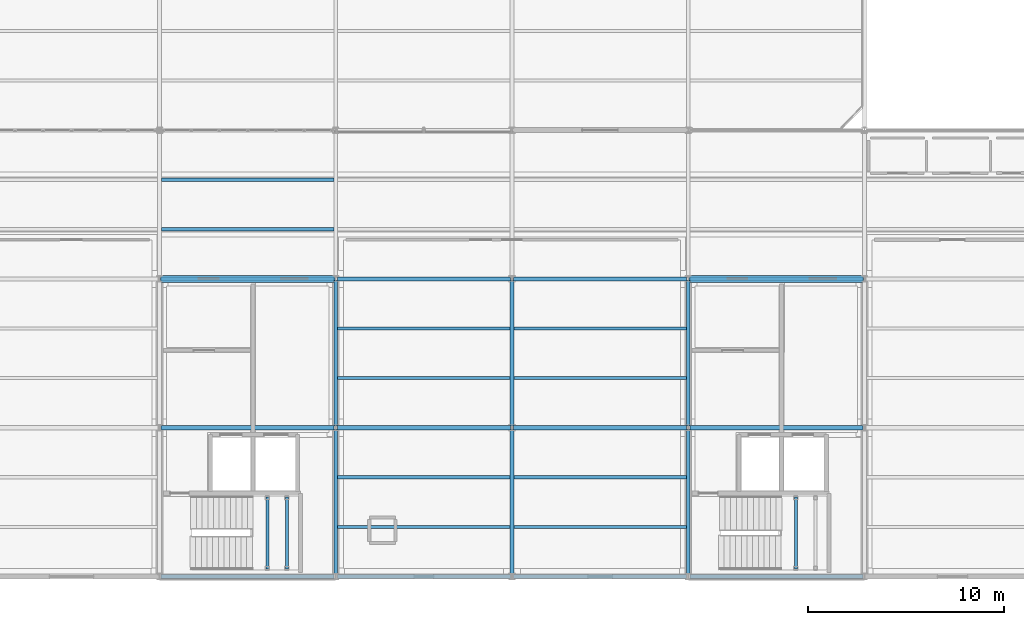
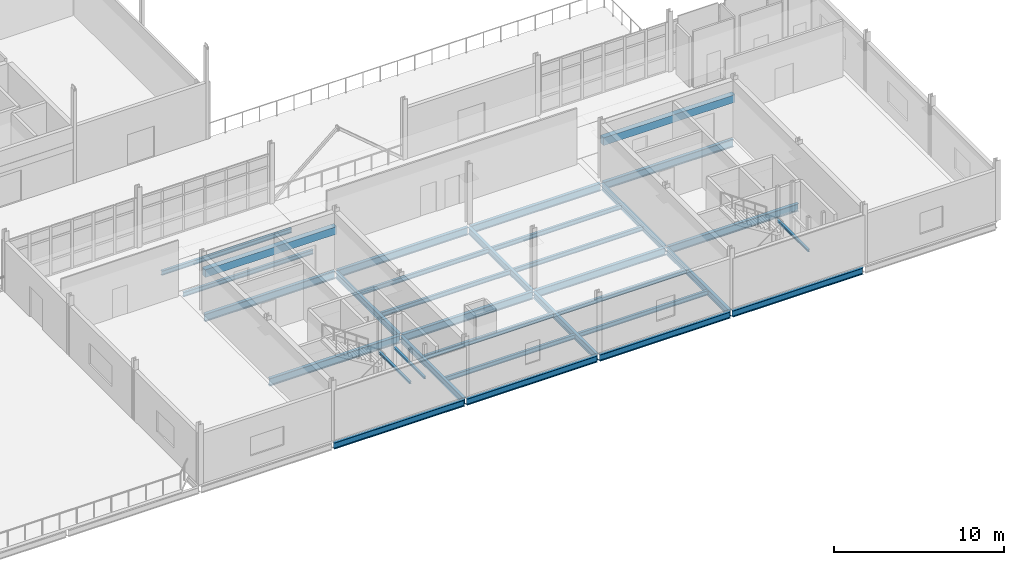
# One storey, part 57 of 166: 33 beams.
"""IFC4 building model written with IfcOpenShell, lengths in metres."""

from ifc_helpers import new_model, si_unit, direction, frame, origin, origin_2d, place, context, subcontext, project, spatial, rectangle, i_section, extrude, material, material_profile, profile_set, type_object, element, save


model = new_model("IFC4")

# Units and contexts
model_context = context("Model", 3, precision=1e-05, world=origin(), true_north=direction((0.0, 1.0)))
body_context = subcontext(model_context, "Body", "Model", "MODEL_VIEW")
ifc_project = project(units=[si_unit("LENGTHUNIT", "METRE"), si_unit("AREAUNIT", "SQUARE_METRE"), si_unit("VOLUMEUNIT", "CUBIC_METRE"), si_unit("PLANEANGLEUNIT", "RADIAN"), si_unit("MASSUNIT", "GRAM", prefix="KILO")], contexts=[model_context])

# Site, building, storey
site_placement = place(None, origin())
site = spatial("IfcSite", under=ifc_project, at=site_placement, CompositionType="ELEMENT")
building_placement = place(site_placement, origin())
building = spatial("IfcBuilding", under=site, at=building_placement, Name="Caisbarro Railhouse Central Library", CompositionType="ELEMENT")
storey_placement = place(building_placement, frame((0.0, 0.0, 9.360107421875)))
storey = spatial("IfcBuildingStorey", under=building, at=storey_placement, Name="L02", CompositionType="ELEMENT", Elevation=9.360107421875)

# Beams
ifc_material_1 = material(Name="Steel ASTM A572 Grade 50", Category="steel")
ifc_material_profile_1 = material_profile(ifc_material_1, i_section(OverallWidth=0.2119140625, OverallDepth=0.5439453125, WebThickness=0.01318359375, FlangeThickness=0.021240234375, FilletRadius=0.02001953125, at=origin_2d()), Name="W530X123.0")
ifc_profile_set_1 = profile_set([ifc_material_profile_1], Name="Steel ASTM A572 Grade 50")
beam_type_1 = type_object("IfcBeamType", Name="BM-G05", PredefinedType="BEAM", material=ifc_profile_set_1)
for number, where, z_axis, x_axis, name in (
    (1, (63.080078125, 7.60009765625, -0.51220703125), (1.0, 0.0, 0.0), (0.0, 1.0, 0.0), "G05 beam L02 #1285"),
    (2, (72.080078125, 7.60009765625, -0.51220703125), (1.0, 0.0, 0.0), (0.0, 1.0, 0.0), "G05 beam L02 #1286"),
    (3, (81.080078125, 7.60009765625, -0.51220703125), (1.0, 0.0, 0.0), (0.0, 1.0, 0.0), "G05 beam L02 #1287"),
    (4, (90.080078125, 7.60009765625, -0.51220703125), (1.0, 0.0, 0.0), (0.0, 1.0, 0.0), "G05 beam L02 #1288"),
    (5, (63.080078125, 15.199951171875, -0.51220703125), (1.0, 0.0, 0.0), (0.0, 1.0, 0.0), "G05 beam L02 #1291"),
    (6, (72.080078125, 15.199951171875, -0.51220703125), (1.0, 0.0, 0.0), (0.0, 1.0, 0.0), "G05 beam L02 #1292"),
    (7, (81.080078125, 15.199951171875, -0.51220703125), (1.0, 0.0, 0.0), (0.0, 1.0, 0.0), "G05 beam L02 #1293"),
    (8, (90.080078125, 15.199951171875, -0.51220703125), (1.0, 0.0, 0.0), (0.0, 1.0, 0.0), "G05 beam L02 #1294"),
):
    element("IfcBeam", number, at=place(storey_placement, frame(where, z_axis=z_axis, x_axis=x_axis)), inside=storey, type_object=beam_type_1, Name=name, PredefinedType="BEAM", context=body_context, shape_type="SweptSolid", body=[
        extrude(i_section(OverallWidth=0.2119140625, OverallDepth=0.5439453125, WebThickness=0.01318359375, FlangeThickness=0.021240234375, FilletRadius=0.02001953125, at=origin_2d()), origin(), (0.0, 0.0, 1.0), 8.83984375),
    ])
ifc_material_profile_2 = material_profile(ifc_material_1, i_section(OverallWidth=0.194091796875, OverallDepth=0.468994140625, WebThickness=0.0126953125, FlangeThickness=0.0205078125, FilletRadius=0.01806640625, at=origin_2d()), Name="W460X106.0")
ifc_profile_set_2 = profile_set([ifc_material_profile_2], Name="Steel ASTM A572 Grade 50")
beam_type_2 = type_object("IfcBeamType", Name="BM-G07", PredefinedType="BEAM", material=ifc_profile_set_2)
beam_1_placement = place(storey_placement, frame((72.0, 0.080078125, -0.474609375), z_axis=(0.0, 1.0, 0.0), x_axis=(-1.0, 0.0, 0.0)))
element("IfcBeam", 9, at=beam_1_placement, inside=storey, type_object=beam_type_2, Name="G07 beam L02 #1308", PredefinedType="BEAM", context=body_context, shape_type="SweptSolid", body=[
    extrude(i_section(OverallWidth=0.194091796875, OverallDepth=0.468994140625, WebThickness=0.0126953125, FlangeThickness=0.0205078125, FilletRadius=0.01806640625, at=origin_2d()), origin(), (0.0, 0.0, 1.0), 7.43994140625),
])
beam_2_placement = place(storey_placement, frame((72.0, 7.679931640625, -0.474609375), z_axis=(0.0, 1.0, 0.0), x_axis=(-1.0, 0.0, 0.0)))
element("IfcBeam", 10, at=beam_2_placement, inside=storey, type_object=beam_type_2, Name="G07 beam L02 #1309", PredefinedType="BEAM", context=body_context, shape_type="SweptSolid", body=[
    extrude(i_section(OverallWidth=0.194091796875, OverallDepth=0.468994140625, WebThickness=0.0126953125, FlangeThickness=0.0205078125, FilletRadius=0.01806640625, at=origin_2d()), origin(), (0.0, 0.0, 1.0), 7.440185546875),
])
beam_3_placement = place(storey_placement, frame((81.0, 0.080078125, -0.474609375), z_axis=(0.0, 1.0, 0.0), x_axis=(-1.0, 0.0, 0.0)))
element("IfcBeam", 11, at=beam_3_placement, inside=storey, type_object=beam_type_2, Name="G07 beam L02 #1311", PredefinedType="BEAM", context=body_context, shape_type="SweptSolid", body=[
    extrude(i_section(OverallWidth=0.194091796875, OverallDepth=0.468994140625, WebThickness=0.0126953125, FlangeThickness=0.0205078125, FilletRadius=0.01806640625, at=origin_2d()), origin(), (0.0, 0.0, 1.0), 7.43994140625),
])
beam_4_placement = place(storey_placement, frame((81.0, 7.679931640625, -0.474609375), z_axis=(0.0, 1.0, 0.0), x_axis=(-1.0, 0.0, 0.0)))
element("IfcBeam", 12, at=beam_4_placement, inside=storey, type_object=beam_type_2, Name="G07 beam L02 #1312", PredefinedType="BEAM", context=body_context, shape_type="SweptSolid", body=[
    extrude(i_section(OverallWidth=0.194091796875, OverallDepth=0.468994140625, WebThickness=0.0126953125, FlangeThickness=0.0205078125, FilletRadius=0.01806640625, at=origin_2d()), origin(), (0.0, 0.0, 1.0), 7.440185546875),
])
beam_5_placement = place(storey_placement, frame((90.0, 0.080078125, -0.474609375), z_axis=(0.0, 1.0, 0.0), x_axis=(-1.0, 0.0, 0.0)))
element("IfcBeam", 13, at=beam_5_placement, inside=storey, type_object=beam_type_2, Name="G07 beam L02 #1314", PredefinedType="BEAM", context=body_context, shape_type="SweptSolid", body=[
    extrude(i_section(OverallWidth=0.194091796875, OverallDepth=0.468994140625, WebThickness=0.0126953125, FlangeThickness=0.0205078125, FilletRadius=0.01806640625, at=origin_2d()), origin(), (0.0, 0.0, 1.0), 7.43994140625),
])
beam_6_placement = place(storey_placement, frame((90.0, 7.679931640625, -0.474609375), z_axis=(0.0, 1.0, 0.0), x_axis=(-1.0, 0.0, 0.0)))
element("IfcBeam", 14, at=beam_6_placement, inside=storey, type_object=beam_type_2, Name="G07 beam L02 #1315", PredefinedType="BEAM", context=body_context, shape_type="SweptSolid", body=[
    extrude(i_section(OverallWidth=0.194091796875, OverallDepth=0.468994140625, WebThickness=0.0126953125, FlangeThickness=0.0205078125, FilletRadius=0.01806640625, at=origin_2d()), origin(), (0.0, 0.0, 1.0), 7.440185546875),
])
ifc_material_profile_3 = material_profile(ifc_material_1, i_section(OverallWidth=0.1669921875, OverallDepth=0.31689453125, WebThickness=0.007568359375, FlangeThickness=0.01318359375, FilletRadius=0.011962890625, at=origin_2d()), Name="W310X52.0")
ifc_profile_set_3 = profile_set([ifc_material_profile_3], Name="Steel ASTM A572 Grade 50")
beam_type_3 = type_object("IfcBeamType", Name="BM-J02", PredefinedType="JOIST", material=ifc_profile_set_3)
for number, where, z_axis, x_axis, name in (
    (15, (63.096923828125, 17.7333984375, -0.398681640625), (1.0, 0.0, 0.0), (0.0, 1.0, 0.0), "J02 beam L02 #1329"),
    (16, (63.096923828125, 20.2666015625, -0.398681640625), (1.0, 0.0, 0.0), (0.0, 1.0, 0.0), "J02 beam L02 #1330"),
    (17, (72.096923828125, 2.533203125, -0.398681640625), (1.0, 0.0, 0.0), (0.0, 1.0, 0.0), "J02 beam L02 #1331"),
    (18, (72.096923828125, 5.066650390625, -0.398681640625), (1.0, 0.0, 0.0), (0.0, 1.0, 0.0), "J02 beam L02 #1332"),
    (19, (72.096923828125, 10.13330078125, -0.398681640625), (1.0, 0.0, 0.0), (0.0, 1.0, 0.0), "J02 beam L02 #1333"),
    (20, (72.096923828125, 12.666748046875, -0.398681640625), (1.0, 0.0, 0.0), (0.0, 1.0, 0.0), "J02 beam L02 #1334"),
    (21, (81.096923828125, 2.533203125, -0.398681640625), (1.0, 0.0, 0.0), (0.0, 1.0, 0.0), "J02 beam L02 #1337"),
    (22, (81.096923828125, 5.066650390625, -0.398681640625), (1.0, 0.0, 0.0), (0.0, 1.0, 0.0), "J02 beam L02 #1338"),
    (23, (81.096923828125, 10.13330078125, -0.398681640625), (1.0, 0.0, 0.0), (0.0, 1.0, 0.0), "J02 beam L02 #1339"),
    (24, (81.096923828125, 12.666748046875, -0.398681640625), (1.0, 0.0, 0.0), (0.0, 1.0, 0.0), "J02 beam L02 #1340"),
):
    element("IfcBeam", number, at=place(storey_placement, frame(where, z_axis=z_axis, x_axis=x_axis)), inside=storey, type_object=beam_type_3, Name=name, PredefinedType="JOIST", context=body_context, shape_type="SweptSolid", body=[
        extrude(i_section(OverallWidth=0.1669921875, OverallDepth=0.31689453125, WebThickness=0.007568359375, FlangeThickness=0.01318359375, FilletRadius=0.011962890625, at=origin_2d()), origin(), (0.0, 0.0, 1.0), 8.80615234375),
    ])
ifc_material_2 = material(Name="Concrete C40", Category="concrete")
ifc_material_profile_4 = material_profile(ifc_material_2, rectangle(XDim=0.35009765625, YDim=0.550048828125, at=origin_2d()), Name="RC-LIN-350X550")
ifc_profile_set_4 = profile_set([ifc_material_profile_4], Name="Concrete C40")
beam_type_4 = type_object("IfcBeamType", Name="BM-LN01", PredefinedType="LINTEL", material=ifc_profile_set_4)
for number, where, z_axis, x_axis, name in (
    (25, (63.050048828125, 15.199951171875, 2.724853515625), (1.0, 0.0, 0.0), (0.0, 1.0, 0.0), "LN01 RC core coupling lintel K1 L02"),
    (26, (90.050048828125, 15.199951171875, 2.724853515625), (1.0, 0.0, 0.0), (0.0, 1.0, 0.0), "LN01 RC core coupling lintel K2 L02"),
):
    element("IfcBeam", number, at=place(storey_placement, frame(where, z_axis=z_axis, x_axis=x_axis)), inside=storey, type_object=beam_type_4, Name=name, PredefinedType="LINTEL", context=body_context, shape_type="SweptSolid", body=[
        extrude(rectangle(XDim=0.35009765625, YDim=0.550048828125, at=origin_2d()), origin(), (0.0, 0.0, 1.0), 8.89990234375),
    ])
ifc_material_profile_5 = material_profile(ifc_material_1, i_section(OverallWidth=0.152099609375, OverallDepth=0.152099609375, WebThickness=0.005859375, FlangeThickness=0.006591796875, FilletRadius=0.008056640625, at=origin_2d()), Name="W150X22.5")
ifc_profile_set_5 = profile_set([ifc_material_profile_5], Name="Steel ASTM A572 Grade 50")
beam_type_5 = type_object("IfcBeamType", Name="BM-SL02", PredefinedType="BEAM", material=ifc_profile_set_5)
for number, where, z_axis, x_axis, name in (
    (27, (68.5, 0.3798828125, 1.893798828125), (0.0, 1.0, 0.0), (-1.0, 0.0, 0.0), "SL02 Stair Landing Support Beam K1 L02 W"),
    (28, (69.5, 0.3798828125, 1.893798828125), (0.0, 1.0, 0.0), (-1.0, 0.0, 0.0), "SL02 Stair Landing Support Beam K1 L02 E"),
    (29, (95.5, 0.3798828125, 1.893798828125), (0.0, 1.0, 0.0), (-1.0, 0.0, 0.0), "SL02 Stair Landing Support Beam K2 L02 W"),
):
    element("IfcBeam", number, at=place(storey_placement, frame(where, z_axis=z_axis, x_axis=x_axis)), inside=storey, type_object=beam_type_5, Name=name, PredefinedType="BEAM", context=body_context, shape_type="SweptSolid", body=[
        extrude(i_section(OverallWidth=0.152099609375, OverallDepth=0.152099609375, WebThickness=0.005859375, FlangeThickness=0.006591796875, FilletRadius=0.008056640625, at=origin_2d()), origin(), (0.0, 0.0, 1.0), 3.690185546875),
    ])
ifc_material_profile_6 = material_profile(ifc_material_1, i_section(OverallWidth=0.18994140625, OverallDepth=0.45703125, WebThickness=0.009033203125, FlangeThickness=0.014404296875, FilletRadius=0.01806640625, at=origin_2d()), Name="W460X74.0")
ifc_profile_set_6 = profile_set([ifc_material_profile_6], Name="Steel ASTM A572 Grade 50")
beam_type_6 = type_object("IfcBeamType", Name="BM-SP01", PredefinedType="SPANDREL", material=ifc_profile_set_6)
for number, where, z_axis, x_axis, name in (
    (30, (63.080078125, 0.0, -0.468505859375), (1.0, 0.0, 0.0), (0.0, 1.0, 0.0), "SP01 beam L02 #1279"),
    (31, (72.080078125, 0.0, -0.468505859375), (1.0, 0.0, 0.0), (0.0, 1.0, 0.0), "SP01 beam L02 #1280"),
    (32, (81.080078125, 0.0, -0.468505859375), (1.0, 0.0, 0.0), (0.0, 1.0, 0.0), "SP01 beam L02 #1281"),
    (33, (90.080078125, 0.0, -0.468505859375), (1.0, 0.0, 0.0), (0.0, 1.0, 0.0), "SP01 beam L02 #1282"),
):
    element("IfcBeam", number, at=place(storey_placement, frame(where, z_axis=z_axis, x_axis=x_axis)), inside=storey, type_object=beam_type_6, Name=name, PredefinedType="SPANDREL", context=body_context, shape_type="SweptSolid", body=[
        extrude(i_section(OverallWidth=0.18994140625, OverallDepth=0.45703125, WebThickness=0.009033203125, FlangeThickness=0.014404296875, FilletRadius=0.01806640625, at=origin_2d()), origin(), (0.0, 0.0, 1.0), 8.83984375),
    ])

save(model, "model.ifc")
